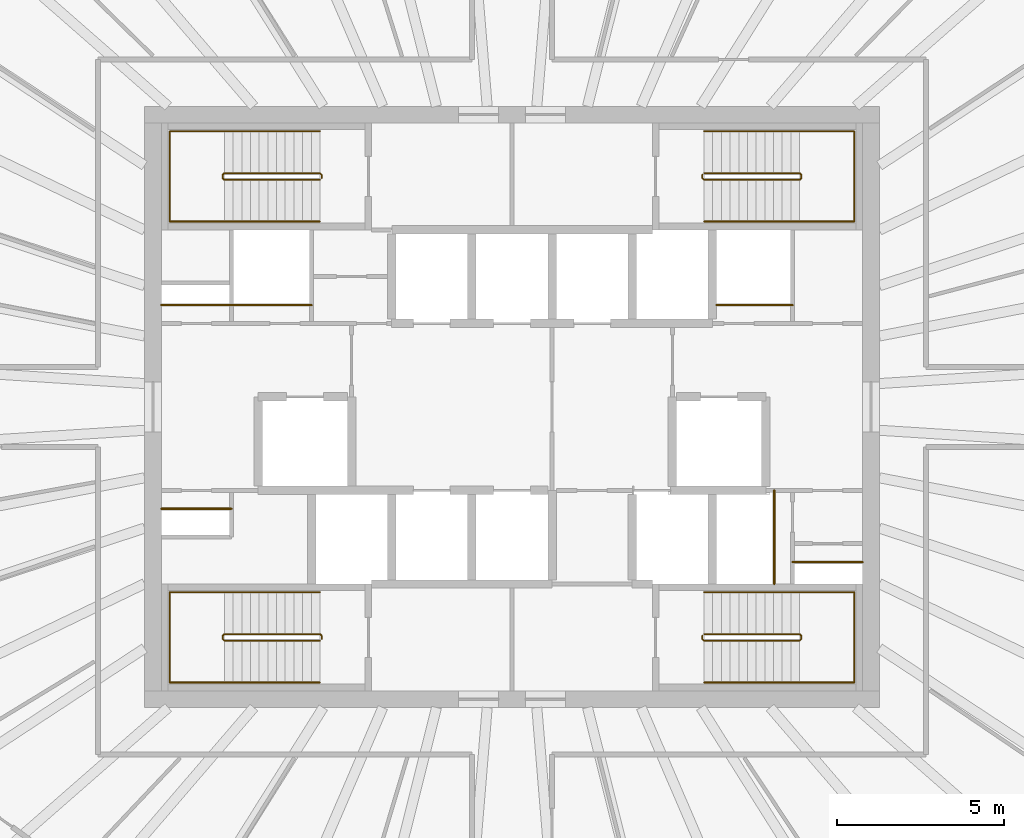
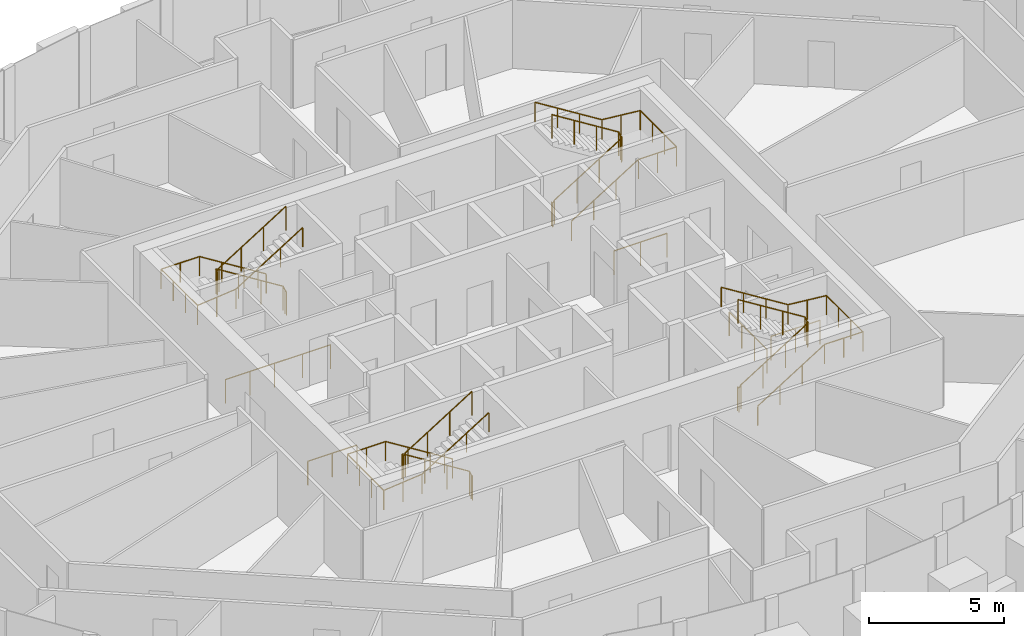
# One storey, part 12 of 12: 14 railings.
"""IFC4 building model written with IfcOpenShell, lengths in metres."""

from ifc_helpers import new_model, si_unit, direction, frame, origin, origin_2d, place, context, subcontext, project, spatial, circle, extrude, source, transform, mapped, material, type_object, element, save


model = new_model("IFC4")

# Units and contexts
model_context = context("Model", 3, precision=1e-05, world=origin(), true_north=direction((0.0, 1.0)))
body_context = subcontext(model_context, "Body", "Model", "MODEL_VIEW")
ifc_project = project(units=[si_unit("LENGTHUNIT", "METRE"), si_unit("AREAUNIT", "SQUARE_METRE"), si_unit("VOLUMEUNIT", "CUBIC_METRE"), si_unit("PLANEANGLEUNIT", "RADIAN"), si_unit("MASSUNIT", "GRAM", prefix="KILO")], contexts=[model_context])

# Site, building, storey
site_placement = place(None, origin())
site = spatial("IfcSite", under=ifc_project, at=site_placement, CompositionType="ELEMENT")
building_placement = place(site_placement, origin())
building = spatial("IfcBuilding", under=site, at=building_placement, Name="Embergate Tower", CompositionType="ELEMENT")
storey_placement = place(building_placement, frame((0.0, 0.0, 309.10009765625)))
storey = spatial("IfcBuildingStorey", under=building, at=storey_placement, Name="L72", CompositionType="ELEMENT", Elevation=309.10009765625)

# Railings
ifc_material_1 = material(Name="Stair handrail 900")
railing_type_1 = type_object("IfcRailingType", Name="Stair handrail 900", PredefinedType="HANDRAIL", material=ifc_material_1)
shared_shape_1 = source(origin(), body_context, "Body", "SweptSolid", [
    extrude(circle(Radius=0.02392578125, at=origin_2d()), frame((0.0, 0.0, 0.8759765625), z_axis=(-0.847994237388, 0.0, 0.530005446535), x_axis=(0.0, -1.0, 0.0)), (0.0, 0.0, 1.0), 3.372802734375),
    extrude(circle(Radius=0.02392578125, at=origin_2d()), frame((-2.860107421875, 0.0, 2.66357421875), z_axis=(-1.0, 0.0, 0.0), x_axis=(0.0, -1.0, 0.0)), (0.0, 0.0, 1.0), 1.639892578125),
    extrude(circle(Radius=0.02392578125, at=origin_2d()), frame((-4.5, 0.0, 2.66357421875), z_axis=(0.0, -1.0, 0.0), x_axis=(1.0, 0.0, 0.0)), (0.0, 0.0, 1.0), 2.699951171875),
    extrude(circle(Radius=0.02392578125, at=origin_2d()), frame((-4.5, -2.699951171875, 2.66357421875), z_axis=(0.995134983717, 0.0, 0.098520881967), x_axis=(0.0, 1.0, 0.0)), (0.0, 0.0, 1.0), 1.64794921875),
    extrude(circle(Radius=0.02392578125, at=origin_2d()), frame((-2.860107421875, -2.699951171875, 2.82568359375), z_axis=(0.847994237388, 0.0, 0.530005446535), x_axis=(0.0, 1.0, 0.0)), (0.0, 0.0, 1.0), 3.372802734375),
    extrude(circle(Radius=0.02099609375, at=origin_2d()), origin(), (0.0, 0.0, 1.0), 0.851806640625),
    extrude(circle(Radius=0.02099609375, at=origin_2d()), frame((-0.953369140625, 0.0, 0.595947265625)), (0.0, 0.0, 1.0), 0.851806640625),
    extrude(circle(Radius=0.02099609375, at=origin_2d()), frame((-1.90673828125, 0.0, 1.191650390625)), (0.0, 0.0, 1.0), 0.851806640625),
    extrude(circle(Radius=0.02099609375, at=origin_2d()), frame((-2.860107421875, 0.0, 1.78759765625)), (0.0, 0.0, 1.0), 0.851806640625),
    extrude(circle(Radius=0.02099609375, at=origin_2d()), frame((-3.68017578125, 0.0, 1.78759765625)), (0.0, 0.0, 1.0), 0.851806640625),
    extrude(circle(Radius=0.02099609375, at=origin_2d()), frame((-4.5, 0.0, 1.78759765625)), (0.0, 0.0, 1.0), 0.851806640625),
    extrude(circle(Radius=0.02099609375, at=origin_2d()), frame((-4.5, -0.89990234375, 1.78759765625)), (0.0, 0.0, 1.0), 0.851806640625),
    extrude(circle(Radius=0.02099609375, at=origin_2d()), frame((-4.5, -1.800048828125, 1.78759765625)), (0.0, 0.0, 1.0), 0.851806640625),
    extrude(circle(Radius=0.02099609375, at=origin_2d()), frame((-4.5, -2.699951171875, 1.78759765625)), (0.0, 0.0, 1.0), 0.851806640625),
    extrude(circle(Radius=0.02099609375, at=origin_2d()), frame((-3.68017578125, -2.699951171875, 1.86865234375)), (0.0, 0.0, 1.0), 0.851806640625),
    extrude(circle(Radius=0.02099609375, at=origin_2d()), frame((-2.860107421875, -2.699951171875, 1.949951171875)), (0.0, 0.0, 1.0), 0.851806640625),
    extrude(circle(Radius=0.02099609375, at=origin_2d()), frame((-1.90673828125, -2.699951171875, 2.5458984375)), (0.0, 0.0, 1.0), 0.851806640625),
    extrude(circle(Radius=0.02099609375, at=origin_2d()), frame((-0.953369140625, -2.699951171875, 3.1416015625)), (0.0, 0.0, 1.0), 0.851806640625),
    extrude(circle(Radius=0.02099609375, at=origin_2d()), frame((0.0, -2.699951171875, 3.737548828125)), (0.0, 0.0, 1.0), 0.851806640625),
])
for number, where, name in (
    (1, (-5.75, 8.25, 0.162353515625), "L72 ST1 stair handrail 1"),
    (2, (-5.75, -5.550048828125, 0.162353515625), "L72 ST3 stair handrail 1"),
):
    element("IfcRailing", number, at=place(storey_placement, frame(where)), inside=storey, type_object=railing_type_1, Name=name, PredefinedType="HANDRAIL", context=body_context, shape_type="MappedRepresentation", body=[
        mapped(shared_shape_1, transform((0.0, 0.0, 0.0))),
    ])
ifc_material_2 = material(Name="Stair guard 1100")
railing_type_2 = type_object("IfcRailingType", Name="Stair guard 1100", PredefinedType="GUARDRAIL", material=ifc_material_2)
shared_shape_2 = source(origin(), body_context, "Body", "SweptSolid", [
    extrude(circle(Radius=0.02392578125, at=origin_2d()), frame((0.0, 0.0, 1.076171875), z_axis=(0.0, 1.0, 0.0), x_axis=(-1.0, 0.0, 0.0)), (0.0, 0.0, 1.0), 0.099853515625),
    extrude(circle(Radius=0.02392578125, at=origin_2d()), frame((0.0, 0.099853515625, 1.076171875), z_axis=(-0.282583949758, 0.282583949758, 0.916674763849), x_axis=(-0.707106781187, -0.707106781187, 0.0)), (0.0, 0.0, 1.0), 0.177001953125),
    extrude(circle(Radius=0.02392578125, at=origin_2d()), frame((-0.050048828125, 0.14990234375, 1.23828125), z_axis=(-0.847994237388, 0.0, 0.530005446535), x_axis=(0.0, -1.0, 0.0)), (0.0, 0.0, 1.0), 3.372802734375),
    extrude(circle(Radius=0.02392578125, at=origin_2d()), frame((-2.91015625, 0.14990234375, 3.02587890625), z_axis=(-0.705375805398, -0.708833529934, 0.0), x_axis=(0.708833529934, -0.705375805398, 0.0)), (0.0, 0.0, 1.0), 0.070556640625),
    extrude(circle(Radius=0.02392578125, at=origin_2d()), frame((-2.9599609375, 0.099853515625, 3.02587890625), z_axis=(0.0, -1.0, 0.0), x_axis=(1.0, 0.0, 0.0)), (0.0, 0.0, 1.0), 0.099853515625),
    extrude(circle(Radius=0.02392578125, at=origin_2d()), frame((-2.9599609375, 0.0, 3.02587890625), z_axis=(0.281314826061, -0.282693820306, 0.917031173188), x_axis=(0.708833529934, 0.705375805398, 0.0)), (0.0, 0.0, 1.0), 0.177001953125),
    extrude(circle(Radius=0.02392578125, at=origin_2d()), frame((-2.91015625, -0.050048828125, 3.1884765625), z_axis=(0.847994237388, 0.0, 0.530005446535), x_axis=(0.0, 1.0, 0.0)), (0.0, 0.0, 1.0), 3.372802734375),
    extrude(circle(Radius=0.02099609375, at=origin_2d()), origin(), (0.0, 0.0, 1.0), 1.052001953125),
    extrude(circle(Radius=0.02099609375, at=origin_2d()), frame((0.0, 0.099853515625, 0.0)), (0.0, 0.0, 1.0), 1.052001953125),
    extrude(circle(Radius=0.02099609375, at=origin_2d()), frame((-0.050048828125, 0.14990234375, 0.162353515625)), (0.0, 0.0, 1.0), 1.052001953125),
    extrude(circle(Radius=0.02099609375, at=origin_2d()), frame((-1.00341796875, 0.14990234375, 0.75830078125)), (0.0, 0.0, 1.0), 1.052001953125),
    extrude(circle(Radius=0.02099609375, at=origin_2d()), frame((-1.956787109375, 0.14990234375, 1.35400390625)), (0.0, 0.0, 1.0), 1.052001953125),
    extrude(circle(Radius=0.02099609375, at=origin_2d()), frame((-2.91015625, 0.14990234375, 1.949951171875)), (0.0, 0.0, 1.0), 1.052001953125),
    extrude(circle(Radius=0.02099609375, at=origin_2d()), frame((-2.9599609375, 0.099853515625, 1.949951171875)), (0.0, 0.0, 1.0), 1.052001953125),
    extrude(circle(Radius=0.02099609375, at=origin_2d()), frame((-2.9599609375, 0.0, 1.949951171875)), (0.0, 0.0, 1.0), 1.052001953125),
    extrude(circle(Radius=0.02099609375, at=origin_2d()), frame((-2.91015625, -0.050048828125, 2.1123046875)), (0.0, 0.0, 1.0), 1.052001953125),
    extrude(circle(Radius=0.02099609375, at=origin_2d()), frame((-1.956787109375, -0.050048828125, 2.708251953125)), (0.0, 0.0, 1.0), 1.052001953125),
    extrude(circle(Radius=0.02099609375, at=origin_2d()), frame((-1.00341796875, -0.050048828125, 3.303955078125)), (0.0, 0.0, 1.0), 1.052001953125),
    extrude(circle(Radius=0.02099609375, at=origin_2d()), frame((-0.050048828125, -0.050048828125, 3.89990234375)), (0.0, 0.0, 1.0), 1.052001953125),
])
for number, where, name in (
    (3, (-5.699951171875, 6.85009765625, 0.0), "L72 ST1 stair guard 1"),
    (4, (-5.699951171875, -6.949951171875, 0.0), "L72 ST3 stair guard 1"),
):
    element("IfcRailing", number, at=place(storey_placement, frame(where)), inside=storey, type_object=railing_type_2, Name=name, PredefinedType="GUARDRAIL", context=body_context, shape_type="MappedRepresentation", body=[
        mapped(shared_shape_2, transform((0.0, 0.0, 0.0))),
    ])
shared_shape_3 = source(origin(), body_context, "Body", "SweptSolid", [
    extrude(circle(Radius=0.02392578125, at=origin_2d()), frame((0.0, 0.0, 0.8759765625), z_axis=(0.847994237388, 0.0, 0.530005446535), x_axis=(0.0, 1.0, 0.0)), (0.0, 0.0, 1.0), 3.372802734375),
    extrude(circle(Radius=0.02392578125, at=origin_2d()), frame((2.860107421875, 0.0, 2.66357421875), z_axis=(1.0, 0.0, 0.0), x_axis=(0.0, 1.0, 0.0)), (0.0, 0.0, 1.0), 1.639892578125),
    extrude(circle(Radius=0.02392578125, at=origin_2d()), frame((4.5, 0.0, 2.66357421875), z_axis=(0.0, 1.0, 0.0), x_axis=(-1.0, 0.0, 0.0)), (0.0, 0.0, 1.0), 2.699951171875),
    extrude(circle(Radius=0.02392578125, at=origin_2d()), frame((4.5, 2.699951171875, 2.66357421875), z_axis=(-0.995134983717, 0.0, 0.098520881967), x_axis=(0.0, -1.0, 0.0)), (0.0, 0.0, 1.0), 1.64794921875),
    extrude(circle(Radius=0.02392578125, at=origin_2d()), frame((2.860107421875, 2.699951171875, 2.82568359375), z_axis=(-0.847994237388, 0.0, 0.530005446535), x_axis=(0.0, -1.0, 0.0)), (0.0, 0.0, 1.0), 3.372802734375),
    extrude(circle(Radius=0.02099609375, at=origin_2d()), origin(), (0.0, 0.0, 1.0), 0.851806640625),
    extrude(circle(Radius=0.02099609375, at=origin_2d()), frame((0.953369140625, 0.0, 0.595947265625)), (0.0, 0.0, 1.0), 0.851806640625),
    extrude(circle(Radius=0.02099609375, at=origin_2d()), frame((1.90673828125, 0.0, 1.191650390625)), (0.0, 0.0, 1.0), 0.851806640625),
    extrude(circle(Radius=0.02099609375, at=origin_2d()), frame((2.860107421875, 0.0, 1.78759765625)), (0.0, 0.0, 1.0), 0.851806640625),
    extrude(circle(Radius=0.02099609375, at=origin_2d()), frame((3.68017578125, 0.0, 1.78759765625)), (0.0, 0.0, 1.0), 0.851806640625),
    extrude(circle(Radius=0.02099609375, at=origin_2d()), frame((4.5, 0.0, 1.78759765625)), (0.0, 0.0, 1.0), 0.851806640625),
    extrude(circle(Radius=0.02099609375, at=origin_2d()), frame((4.5, 0.89990234375, 1.78759765625)), (0.0, 0.0, 1.0), 0.851806640625),
    extrude(circle(Radius=0.02099609375, at=origin_2d()), frame((4.5, 1.800048828125, 1.78759765625)), (0.0, 0.0, 1.0), 0.851806640625),
    extrude(circle(Radius=0.02099609375, at=origin_2d()), frame((4.5, 2.699951171875, 1.78759765625)), (0.0, 0.0, 1.0), 0.851806640625),
    extrude(circle(Radius=0.02099609375, at=origin_2d()), frame((3.68017578125, 2.699951171875, 1.86865234375)), (0.0, 0.0, 1.0), 0.851806640625),
    extrude(circle(Radius=0.02099609375, at=origin_2d()), frame((2.860107421875, 2.699951171875, 1.949951171875)), (0.0, 0.0, 1.0), 0.851806640625),
    extrude(circle(Radius=0.02099609375, at=origin_2d()), frame((1.90673828125, 2.699951171875, 2.5458984375)), (0.0, 0.0, 1.0), 0.851806640625),
    extrude(circle(Radius=0.02099609375, at=origin_2d()), frame((0.953369140625, 2.699951171875, 3.1416015625)), (0.0, 0.0, 1.0), 0.851806640625),
    extrude(circle(Radius=0.02099609375, at=origin_2d()), frame((0.0, 2.699951171875, 3.737548828125)), (0.0, 0.0, 1.0), 0.851806640625),
])
for number, where, name in (
    (5, (5.75, 5.550048828125, 0.162353515625), "L72 ST2 stair handrail 1"),
    (6, (5.75, -8.25, 0.162353515625), "L72 ST4 stair handrail 1"),
):
    element("IfcRailing", number, at=place(storey_placement, frame(where)), inside=storey, type_object=railing_type_1, Name=name, PredefinedType="HANDRAIL", context=body_context, shape_type="MappedRepresentation", body=[
        mapped(shared_shape_3, transform((0.0, 0.0, 0.0))),
    ])
shared_shape_4 = source(origin(), body_context, "Body", "SweptSolid", [
    extrude(circle(Radius=0.02392578125, at=origin_2d()), frame((0.0, 0.0, 1.076171875), z_axis=(0.0, -1.0, 0.0), x_axis=(1.0, 0.0, 0.0)), (0.0, 0.0, 1.0), 0.099853515625),
    extrude(circle(Radius=0.02392578125, at=origin_2d()), frame((0.0, -0.099853515625, 1.076171875), z_axis=(0.282583949758, -0.282583949758, 0.916674763849), x_axis=(0.707106781187, 0.707106781187, 0.0)), (0.0, 0.0, 1.0), 0.177001953125),
    extrude(circle(Radius=0.02392578125, at=origin_2d()), frame((0.050048828125, -0.14990234375, 1.23828125), z_axis=(0.847994237388, 0.0, 0.530005446535), x_axis=(0.0, 1.0, 0.0)), (0.0, 0.0, 1.0), 3.372802734375),
    extrude(circle(Radius=0.02392578125, at=origin_2d()), frame((2.91015625, -0.14990234375, 3.02587890625), z_axis=(0.705375805398, 0.708833529934, 0.0), x_axis=(-0.708833529934, 0.705375805398, 0.0)), (0.0, 0.0, 1.0), 0.070556640625),
    extrude(circle(Radius=0.02392578125, at=origin_2d()), frame((2.9599609375, -0.099853515625, 3.02587890625), z_axis=(0.0, 1.0, 0.0), x_axis=(-1.0, 0.0, 0.0)), (0.0, 0.0, 1.0), 0.099853515625),
    extrude(circle(Radius=0.02392578125, at=origin_2d()), frame((2.9599609375, 0.0, 3.02587890625), z_axis=(-0.281314826061, 0.282693820306, 0.917031173188), x_axis=(-0.708833529934, -0.705375805398, 0.0)), (0.0, 0.0, 1.0), 0.177001953125),
    extrude(circle(Radius=0.02392578125, at=origin_2d()), frame((2.91015625, 0.050048828125, 3.1884765625), z_axis=(-0.847994237388, 0.0, 0.530005446535), x_axis=(0.0, -1.0, 0.0)), (0.0, 0.0, 1.0), 3.372802734375),
    extrude(circle(Radius=0.02099609375, at=origin_2d()), origin(), (0.0, 0.0, 1.0), 1.052001953125),
    extrude(circle(Radius=0.02099609375, at=origin_2d()), frame((0.0, -0.099853515625, 0.0)), (0.0, 0.0, 1.0), 1.052001953125),
    extrude(circle(Radius=0.02099609375, at=origin_2d()), frame((0.050048828125, -0.14990234375, 0.162353515625)), (0.0, 0.0, 1.0), 1.052001953125),
    extrude(circle(Radius=0.02099609375, at=origin_2d()), frame((1.00341796875, -0.14990234375, 0.75830078125)), (0.0, 0.0, 1.0), 1.052001953125),
    extrude(circle(Radius=0.02099609375, at=origin_2d()), frame((1.956787109375, -0.14990234375, 1.35400390625)), (0.0, 0.0, 1.0), 1.052001953125),
    extrude(circle(Radius=0.02099609375, at=origin_2d()), frame((2.91015625, -0.14990234375, 1.949951171875)), (0.0, 0.0, 1.0), 1.052001953125),
    extrude(circle(Radius=0.02099609375, at=origin_2d()), frame((2.9599609375, -0.099853515625, 1.949951171875)), (0.0, 0.0, 1.0), 1.052001953125),
    extrude(circle(Radius=0.02099609375, at=origin_2d()), frame((2.9599609375, 0.0, 1.949951171875)), (0.0, 0.0, 1.0), 1.052001953125),
    extrude(circle(Radius=0.02099609375, at=origin_2d()), frame((2.91015625, 0.050048828125, 2.1123046875)), (0.0, 0.0, 1.0), 1.052001953125),
    extrude(circle(Radius=0.02099609375, at=origin_2d()), frame((1.956787109375, 0.050048828125, 2.708251953125)), (0.0, 0.0, 1.0), 1.052001953125),
    extrude(circle(Radius=0.02099609375, at=origin_2d()), frame((1.00341796875, 0.050048828125, 3.303955078125)), (0.0, 0.0, 1.0), 1.052001953125),
    extrude(circle(Radius=0.02099609375, at=origin_2d()), frame((0.050048828125, 0.050048828125, 3.89990234375)), (0.0, 0.0, 1.0), 1.052001953125),
])
for number, where, name in (
    (7, (5.699951171875, 6.949951171875, 0.0), "L72 ST2 stair guard 1"),
    (8, (5.699951171875, -6.85009765625, 0.0), "L72 ST4 stair guard 1"),
):
    element("IfcRailing", number, at=place(storey_placement, frame(where)), inside=storey, type_object=railing_type_2, Name=name, PredefinedType="GUARDRAIL", context=body_context, shape_type="MappedRepresentation", body=[
        mapped(shared_shape_4, transform((0.0, 0.0, 0.0))),
    ])
ifc_material_3 = material(Name="Opening guard 1100")
railing_type_3 = type_object("IfcRailingType", Name="Opening guard 1100", PredefinedType="GUARDRAIL", material=ifc_material_3)
shared_shape_5 = source(origin(), body_context, "Body", "SweptSolid", [
    extrude(circle(Radius=0.02392578125, at=origin_2d()), frame((0.0, 0.0, 1.076171875), z_axis=(1.0, 0.0, 0.0), x_axis=(0.0, 1.0, 0.0)), (0.0, 0.0, 1.0), 2.27490234375),
    extrude(circle(Radius=0.02099609375, at=origin_2d()), origin(), (0.0, 0.0, 1.0), 1.052001953125),
    extrude(circle(Radius=0.02099609375, at=origin_2d()), frame((1.137451171875, 0.0, 0.0)), (0.0, 0.0, 1.0), 1.052001953125),
    extrude(circle(Radius=0.02099609375, at=origin_2d()), frame((2.27490234375, 0.0, 0.0)), (0.0, 0.0, 1.0), 1.052001953125),
])
railing_1_placement = place(storey_placement, frame((6.125, 3.050048828125, 0.0)))
element("IfcRailing", 9, at=railing_1_placement, inside=storey, type_object=railing_type_3, Name="Riser opening guard", PredefinedType="GUARDRAIL", context=body_context, shape_type="MappedRepresentation", body=[
    mapped(shared_shape_5, transform((0.0, 0.0, 0.0))),
])
shared_shape_6 = source(origin(), body_context, "Body", "SweptSolid", [
    extrude(circle(Radius=0.02392578125, at=origin_2d()), frame((0.0, 0.0, 1.076171875), z_axis=(0.0, 1.0, 0.0), x_axis=(-1.0, 0.0, 0.0)), (0.0, 0.0, 1.0), 2.800048828125),
    extrude(circle(Radius=0.02099609375, at=origin_2d()), origin(), (0.0, 0.0, 1.0), 1.052001953125),
    extrude(circle(Radius=0.02099609375, at=origin_2d()), frame((0.0, 0.933349609375, 0.0)), (0.0, 0.0, 1.0), 1.052001953125),
    extrude(circle(Radius=0.02099609375, at=origin_2d()), frame((0.0, 1.86669921875, 0.0)), (0.0, 0.0, 1.0), 1.052001953125),
    extrude(circle(Radius=0.02099609375, at=origin_2d()), frame((0.0, 2.800048828125, 0.0)), (0.0, 0.0, 1.0), 1.052001953125),
])
railing_2_placement = place(storey_placement, frame((7.85009765625, -5.300048828125, 0.0)))
element("IfcRailing", 10, at=railing_2_placement, inside=storey, type_object=railing_type_3, Name="Riser opening guard", PredefinedType="GUARDRAIL", context=body_context, shape_type="MappedRepresentation", body=[
    mapped(shared_shape_6, transform((0.0, 0.0, 0.0))),
])
shared_shape_7 = source(origin(), body_context, "Body", "SweptSolid", [
    extrude(circle(Radius=0.02392578125, at=origin_2d()), frame((0.0, 0.0, 1.076171875), z_axis=(1.0, 0.0, 0.0), x_axis=(0.0, 1.0, 0.0)), (0.0, 0.0, 1.0), 2.39990234375),
    extrude(circle(Radius=0.02099609375, at=origin_2d()), origin(), (0.0, 0.0, 1.0), 1.052001953125),
    extrude(circle(Radius=0.02099609375, at=origin_2d()), frame((1.199951171875, 0.0, 0.0)), (0.0, 0.0, 1.0), 1.052001953125),
    extrude(circle(Radius=0.02099609375, at=origin_2d()), frame((2.39990234375, 0.0, 0.0)), (0.0, 0.0, 1.0), 1.052001953125),
])
railing_3_placement = place(storey_placement, frame((-8.39990234375, 3.050048828125, 0.0)))
element("IfcRailing", 11, at=railing_3_placement, inside=storey, type_object=railing_type_3, Name="Riser opening guard", PredefinedType="GUARDRAIL", context=body_context, shape_type="MappedRepresentation", body=[
    mapped(shared_shape_7, transform((0.0, 0.0, 0.0))),
])
shared_shape_8 = source(origin(), body_context, "Body", "SweptSolid", [
    extrude(circle(Radius=0.02392578125, at=origin_2d()), frame((0.0, 0.0, 1.076171875), z_axis=(1.0, 0.0, 0.0), x_axis=(0.0, 1.0, 0.0)), (0.0, 0.0, 1.0), 2.10009765625),
    extrude(circle(Radius=0.02099609375, at=origin_2d()), origin(), (0.0, 0.0, 1.0), 1.052001953125),
    extrude(circle(Radius=0.02099609375, at=origin_2d()), frame((1.050048828125, 0.0, 0.0)), (0.0, 0.0, 1.0), 1.052001953125),
    extrude(circle(Radius=0.02099609375, at=origin_2d()), frame((2.10009765625, 0.0, 0.0)), (0.0, 0.0, 1.0), 1.052001953125),
])
for number, where, name in (
    (12, (-10.5, 3.050048828125, 0.0), "Riser opening guard"),
    (13, (-10.5, -3.050048828125, 0.0), "Riser opening guard"),
    (14, (8.39990234375, -4.64599609375, 0.0), "Riser opening guard"),
):
    element("IfcRailing", number, at=place(storey_placement, frame(where)), inside=storey, type_object=railing_type_3, Name=name, PredefinedType="GUARDRAIL", context=body_context, shape_type="MappedRepresentation", body=[
        mapped(shared_shape_8, transform((0.0, 0.0, 0.0))),
    ])

save(model, "model.ifc")
